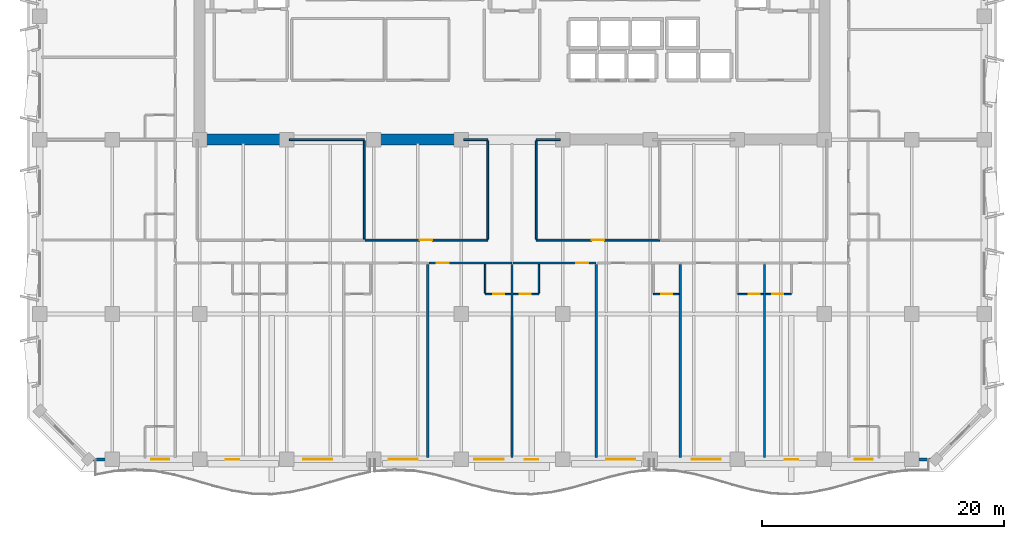
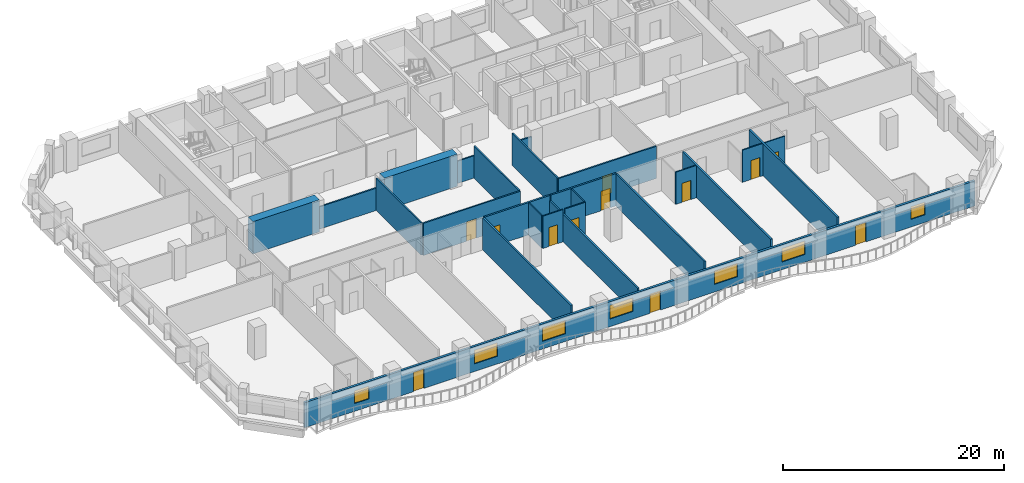
# One storey, part 5 of 14: 25 walls, 12 doors, 7 windows, 19 openings.
"""IFC4 building model written with IfcOpenShell, lengths in metres."""

import ifcopenshell
import ifcopenshell.guid

model = None  # the IFC model being written
_history = None  # IfcOwnerHistory: only IFC2X3 demands one
_inside = {}  # id of a spatial element -> (the spatial element, [elements in it])
_under = {}  # id of a project, library or spatial element -> (it, [spatial elements below it])
_declared = {}  # id of a project -> (the project, [libraries it declares])
_typed = {}  # id of a type object -> (the type object, [elements of that type])
_made_of = {}  # id of a material, layer set ... -> (it, [elements and type objects made of it])


def new_model(schema):
    """Start an empty IFC model of exactly this schema.

    Asked for "IFC4X3", IfcOpenShell would pick the latest addendum, in which some entities
    have other attributes; the version numbers below select the first issue.
    IFC2X3 requires an IfcOwnerHistory on every rooted entity: one is made here for all.
    """
    global model, _history
    if schema == "IFC4X3":
        model = ifcopenshell.file(schema_version=(4, 3, 0, 0))
    else:
        model = ifcopenshell.file(schema=schema)
    _inside.clear()
    _under.clear()
    _declared.clear()
    _typed.clear()
    _made_of.clear()
    _history = None
    if model.schema == "IFC2X3":
        org = make("IfcOrganization", Name="unknown")
        user = make(
            "IfcPersonAndOrganization",
            ThePerson=make("IfcPerson", FamilyName="unknown"),
            TheOrganization=org,
        )
        app = make(
            "IfcApplication",
            ApplicationDeveloper=org,
            Version="unknown",
            ApplicationFullName="unknown",
            ApplicationIdentifier="unknown",
        )
        _history = make(
            "IfcOwnerHistory",
            OwningUser=user,
            OwningApplication=app,
            ChangeAction="ADDED",
            CreationDate=0,
        )
    return model


def make(cls, **values):
    """One entity of the class cls with the attributes given. An attribute that is None is left unset."""
    return model.create_entity(
        cls, **{name: value for name, value in values.items() if value is not None}
    )


def rooted(cls, **values):
    """An entity with a GlobalId (a new one), such as an element, a storey or a relation."""
    return make(cls, GlobalId=ifcopenshell.guid.new(), OwnerHistory=_history, **values)


def si_unit(unit_type, name, prefix=None):
    """IfcSIUnit, for example si_unit("LENGTHUNIT", "METRE", prefix="MILLI")."""
    return make("IfcSIUnit", UnitType=unit_type, Prefix=prefix, Name=name)


def assignment(units):
    """IfcUnitAssignment: the units of a project."""
    return None if units is None else make("IfcUnitAssignment", Units=units)


def point(xyz):
    """IfcCartesianPoint."""
    return None if xyz is None else make("IfcCartesianPoint", Coordinates=xyz)


def direction(xyz):
    """IfcDirection."""
    return None if xyz is None else make("IfcDirection", DirectionRatios=xyz)


def frame(location, z_axis=None, x_axis=None):
    """IfcAxis2Placement3D, a coordinate frame: its origin and axes. An axis left out is left unset."""
    return make(
        "IfcAxis2Placement3D",
        Location=point(location),
        Axis=direction(z_axis),
        RefDirection=direction(x_axis),
    )


def frame_2d(location, x_axis=None):
    """IfcAxis2Placement2D, a coordinate frame in the plane: its origin and x axis."""
    return make(
        "IfcAxis2Placement2D", Location=point(location), RefDirection=direction(x_axis)
    )


def origin():
    """The frame at (0, 0, 0) with its axes left unset."""
    return frame((0.0, 0.0, 0.0))


def place(relative_to, where):
    """IfcLocalPlacement: puts the frame where relative to a parent placement (None: the world)."""
    return make(
        "IfcLocalPlacement", PlacementRelTo=relative_to, RelativePlacement=where
    )


def context(
    kind, dimensions, precision=None, world=None, true_north=None, identifier=None
):
    """IfcGeometricRepresentationContext, for example the 3D "Model" context."""
    return make(
        "IfcGeometricRepresentationContext",
        ContextIdentifier=identifier,
        ContextType=kind,
        CoordinateSpaceDimension=dimensions,
        Precision=precision,
        WorldCoordinateSystem=world,
        TrueNorth=true_north,
    )


def subcontext(parent, identifier, kind, view, scale=None):
    """IfcGeometricRepresentationSubContext, for example "Body" below "Model"."""
    return make(
        "IfcGeometricRepresentationSubContext",
        ContextIdentifier=identifier,
        ContextType=kind,
        ParentContext=parent,
        TargetScale=scale,
        TargetView=view,
    )


def project(units=None, contexts=None):
    """IfcProject with its units and contexts."""
    return rooted(
        "IfcProject",
        Name="project",
        RepresentationContexts=contexts,
        UnitsInContext=assignment(units),
    )


def spatial(cls, under=None, at=None, **own):
    """A site, building, storey or space (cls), placed at a placement, below another one or the project."""
    s = rooted(cls, ObjectPlacement=at, **own)
    if under is not None:
        _under.setdefault(under.id(), (under, []))[1].append(s)
    return s


def profile(cls, at=None, kind="AREA", **sizes):
    """A parametric profile (cls). Its sizes go by their IFC names, for example OverallWidth=200.0."""
    return make(cls, ProfileType=kind, Position=at, **sizes)


def rectangle(**sizes):
    """IfcRectangleProfileDef."""
    return profile("IfcRectangleProfileDef", **sizes)


def extrude(swept, where, along, depth):
    """IfcExtrudedAreaSolid: the profile swept, set in the frame where, extruded along a direction by depth."""
    return make(
        "IfcExtrudedAreaSolid",
        SweptArea=swept,
        Position=where,
        ExtrudedDirection=direction(along),
        Depth=depth,
    )


def shape(context_of_items, identifier, shape_type, items):
    """IfcShapeRepresentation: the items that make up one representation, for example the "Body"."""
    return make(
        "IfcShapeRepresentation",
        ContextOfItems=context_of_items,
        RepresentationIdentifier=identifier,
        RepresentationType=shape_type,
        Items=items,
    )


def material(Name=None, Category=None):
    """IfcMaterial."""
    return make("IfcMaterial", Name=Name, Category=Category)


def layer(
    of_material, thickness, ventilated=None, Name=None, Category=None, Priority=None
):
    """IfcMaterialLayer: one layer of a wall or slab, of a material (None: an air gap)."""
    return make(
        "IfcMaterialLayer",
        Material=of_material,
        LayerThickness=thickness,
        IsVentilated=ventilated,
        Name=Name,
        Category=Category,
        Priority=Priority,
    )


def layer_set(layers, Name=None):
    """IfcMaterialLayerSet."""
    return make("IfcMaterialLayerSet", MaterialLayers=layers, LayerSetName=Name)


def made_of(thing, what):
    """Note that an element or type object is made of a material, layer set ...; save() writes the relation."""
    if what is not None:
        _made_of.setdefault(what.id(), (what, []))[1].append(thing)
    return thing


def type_object(cls, material=None, **own):
    """A type object (cls), such as IfcWallType, which elements share."""
    return made_of(rooted(cls, **own), material)


def element(
    cls,
    number,
    at=None,
    inside=None,
    cuts=None,
    type_object=None,
    material=None,
    context=None,
    identifier="Body",
    shape_type=None,
    held_by="IfcProductDefinitionShape",
    body=None,
    shapes=None,
    **own,
):
    """One element of the class cls, such as IfcWall. Its Tag is "e" and its number.

    at: its placement. inside: the storey or other place that contains it. cuts: it is an
    opening in that element (IfcRelVoidsElement). A single representation is given by context,
    identifier, shape_type and body (its items); several are given by shapes. held_by: the class
    of the entity that holds the representations. save() writes the other relations.
    """
    e = rooted(cls, Tag="e%d" % number, ObjectPlacement=at, **own)
    if body is not None:
        shapes = [shape(context, identifier, shape_type, body)]
    if shapes is not None:
        e.Representation = make(held_by, Representations=shapes)
    if inside is not None:
        _inside.setdefault(inside.id(), (inside, []))[1].append(e)
    if cuts is not None:
        rooted(
            "IfcRelVoidsElement", RelatingBuildingElement=cuts, RelatedOpeningElement=e
        )
    if type_object is not None:
        _typed.setdefault(type_object.id(), (type_object, []))[1].append(e)
    return made_of(e, material)


def fill(opening, filler):
    """IfcRelFillsElement: the door or window that sits in an opening."""
    return rooted(
        "IfcRelFillsElement",
        RelatingOpeningElement=opening,
        RelatedBuildingElement=filler,
    )


def aggregate(whole, parts):
    """IfcRelAggregates: a whole, such as a stair, and the parts it consists of."""
    return rooted("IfcRelAggregates", RelatingObject=whole, RelatedObjects=parts)


def save(model, path):
    """Write the relations noted so far, then the file.

    IfcRelAggregates (storeys below a building ...), IfcRelContainedInSpatialStructure (elements
    in a storey), IfcRelDefinesByType, IfcRelAssociatesMaterial and IfcRelDeclares: one each for
    every whole, place, type object, material and project.
    """
    for whole, parts in _under.values():
        aggregate(whole, parts)
    for where, things in _inside.values():
        rooted(
            "IfcRelContainedInSpatialStructure",
            RelatedElements=things,
            RelatingStructure=where,
        )
    for kind, things in _typed.values():
        rooted("IfcRelDefinesByType", RelatedObjects=things, RelatingType=kind)
    for what, things in _made_of.values():
        rooted("IfcRelAssociatesMaterial", RelatedObjects=things, RelatingMaterial=what)
    for by, libraries in _declared.values():
        rooted("IfcRelDeclares", RelatingContext=by, RelatedDefinitions=libraries)
    model.write(path)


model = new_model("IFC4")

# Units and contexts
model_context = context("Model", 3, precision=1e-05, world=origin(), true_north=direction((0.0, 1.0)))
body_context = subcontext(model_context, "Body", "Model", "MODEL_VIEW")
ifc_project = project(units=[si_unit("LENGTHUNIT", "METRE"), si_unit("AREAUNIT", "SQUARE_METRE"), si_unit("VOLUMEUNIT", "CUBIC_METRE"), si_unit("PLANEANGLEUNIT", "RADIAN"), si_unit("MASSUNIT", "GRAM", prefix="KILO")], contexts=[model_context])

# Site, building, storey
site_placement = place(None, origin())
site = spatial("IfcSite", under=ifc_project, at=site_placement, CompositionType="ELEMENT")
building_placement = place(site_placement, origin())
building = spatial("IfcBuilding", under=site, at=building_placement, Name="Kaelvorn Grand Hotel", CompositionType="ELEMENT")
storey_placement = place(building_placement, frame((0.0, 0.0, 161.949951171875)))
storey = spatial("IfcBuildingStorey", under=building, at=storey_placement, Name="L39", CompositionType="ELEMENT", Elevation=161.949951171875)

# Walls
ifc_material_1 = material(Name="Concrete C60/75", Category="concrete")
ifc_layer_1 = layer(ifc_material_1, 0.89990234375)
ifc_layer_set_1 = layer_set([ifc_layer_1], Name="Concrete C60/75")
wall_type_1 = type_object("IfcWallType", Name="WL-CORE-900-C60", PredefinedType="SHEAR", material=ifc_layer_set_1)
wall_1_placement = place(storey_placement, frame((16.655029296875, 29.39990234375, 0.0), z_axis=(0.0, 0.0, 1.0), x_axis=(1.0, 0.0, 0.0)))
element("IfcWall", 1, at=wall_1_placement, inside=storey, type_object=wall_type_1, Name="L39 Rear-Core Coupled Shear Pier S1", PredefinedType="SHEAR", context=body_context, shape_type="SweptSolid", body=[
    extrude(rectangle(XDim=6.945068359375, YDim=0.89990234375, at=frame_2d((3.47265625, 0.0))), origin(), (0.0, 0.0, 1.0), 3.56005859375),
])
wall_2_placement = place(storey_placement, frame((30.39990234375, 29.39990234375, 0.0), z_axis=(0.0, 0.0, 1.0), x_axis=(1.0, 0.0, 0.0)))
element("IfcWall", 2, at=wall_2_placement, inside=storey, type_object=wall_type_1, Name="L39 Rear-Core Coupled Shear Pier S2", PredefinedType="SHEAR", context=body_context, shape_type="SweptSolid", body=[
    extrude(rectangle(XDim=7.60009765625, YDim=0.89990234375, at=frame_2d((3.800048828125, 0.0))), origin(), (0.0, 0.0, 1.0), 3.56005859375),
])

# Wall, openings, doors, windows
ifc_material_2 = material(Name="Concrete C40/50", Category="concrete")
ifc_layer_2 = layer(ifc_material_2, 0.239990234375)
ifc_layer_set_2 = layer_set([ifc_layer_2], Name="Concrete C40/50")
wall_type_2 = type_object("IfcWallType", Name="WL-EXT-240-C40", PredefinedType="SOLIDWALL", material=ifc_layer_set_2)
wall_3_placement = place(storey_placement, frame((7.0, 3.0, 0.0), z_axis=(0.0, 0.0, 1.0), x_axis=(1.0, 0.0, 0.0)))
wall_3 = element("IfcWall", 3, at=wall_3_placement, inside=storey, type_object=wall_type_2, Name="L39 Exterior Architectural Concrete Wall 01", PredefinedType="SOLIDWALL", context=body_context, shape_type="SweptSolid", body=[
    extrude(rectangle(XDim=70.0, YDim=0.239990234375, at=frame_2d((35.0, 0.0))), origin(), (0.0, 0.0, 1.0), 2.760009765625),
])
opening_1_placement = place(wall_3_placement, frame((11.38330078125, 0.0, 0.0)))
opening_1 = element("IfcOpeningElement", 4, at=opening_1_placement, cuts=wall_3, Name="Opening DE2", PredefinedType="OPENING", context=body_context, shape_type="SweptSolid", body=[
    extrude(rectangle(XDim=1.10009765625, YDim=2.14990234375, at=frame_2d((0.550048828125, 1.074951171875))), frame((0.0, 0.1298828125, 0.0), z_axis=(0.0, -1.0, 0.0), x_axis=(1.0, 0.0, 0.0)), (0.0, 0.0, 1.0), 0.260009765625),
])
opening_2_placement = place(wall_3_placement, frame((36.069091796875, 0.0, 0.0)))
opening_2 = element("IfcOpeningElement", 5, at=opening_2_placement, cuts=wall_3, Name="Opening DE2", PredefinedType="OPENING", context=body_context, shape_type="SweptSolid", body=[
    extrude(rectangle(XDim=1.10009765625, YDim=2.14990234375, at=frame_2d((0.550048828125, 1.074951171875))), frame((0.0, 0.1298828125, 0.0), z_axis=(0.0, -1.0, 0.0), x_axis=(1.0, 0.0, 0.0)), (0.0, 0.0, 1.0), 0.260009765625),
])
opening_3_placement = place(wall_3_placement, frame((57.5166015625, 0.0, 0.0)))
opening_3 = element("IfcOpeningElement", 6, at=opening_3_placement, cuts=wall_3, Name="Opening DE2", PredefinedType="OPENING", context=body_context, shape_type="SweptSolid", body=[
    extrude(rectangle(XDim=1.10009765625, YDim=2.14990234375, at=frame_2d((0.550048828125, 1.074951171875))), frame((0.0, 0.1298828125, 0.0), z_axis=(0.0, -1.0, 0.0), x_axis=(1.0, 0.0, 0.0)), (0.0, 0.0, 1.0), 0.260009765625),
])
opening_4_placement = place(wall_3_placement, frame((5.199951171875, 0.0, 0.85009765625)))
opening_4 = element("IfcOpeningElement", 7, at=opening_4_placement, cuts=wall_3, Name="Opening W10", PredefinedType="OPENING", context=body_context, shape_type="SweptSolid", body=[
    extrude(rectangle(XDim=1.5, YDim=1.39990234375, at=frame_2d((0.75, 0.699951171875))), frame((0.0, 0.1298828125, 0.0), z_axis=(0.0, -1.0, 0.0), x_axis=(1.0, 0.0, 0.0)), (0.0, 0.0, 1.0), 0.260009765625),
])
opening_5_placement = place(wall_3_placement, frame((17.75, 0.0, 0.85009765625)))
opening_5 = element("IfcOpeningElement", 8, at=opening_5_placement, cuts=wall_3, Name="Opening W6", PredefinedType="OPENING", context=body_context, shape_type="SweptSolid", body=[
    extrude(rectangle(XDim=2.39990234375, YDim=1.5, at=frame_2d((1.199951171875, 0.75))), frame((0.0, 0.1298828125, 0.0), z_axis=(0.0, -1.0, 0.0), x_axis=(1.0, 0.0, 0.0)), (0.0, 0.0, 1.0), 0.260009765625),
])
opening_6_placement = place(wall_3_placement, frame((24.824951171875, 0.0, 0.85009765625)))
opening_6 = element("IfcOpeningElement", 9, at=opening_6_placement, cuts=wall_3, Name="Opening W6", PredefinedType="OPENING", context=body_context, shape_type="SweptSolid", body=[
    extrude(rectangle(XDim=2.39990234375, YDim=1.5, at=frame_2d((1.199951171875, 0.75))), frame((0.0, 0.1298828125, 0.0), z_axis=(0.0, -1.0, 0.0), x_axis=(1.0, 0.0, 0.0)), (0.0, 0.0, 1.0), 0.260009765625),
])
opening_7_placement = place(wall_3_placement, frame((31.89990234375, 0.0, 0.85009765625)))
opening_7 = element("IfcOpeningElement", 10, at=opening_7_placement, cuts=wall_3, Name="Opening W6", PredefinedType="OPENING", context=body_context, shape_type="SweptSolid", body=[
    extrude(rectangle(XDim=2.39990234375, YDim=1.5, at=frame_2d((1.199951171875, 0.75))), frame((0.0, 0.1298828125, 0.0), z_axis=(0.0, -1.0, 0.0), x_axis=(1.0, 0.0, 0.0)), (0.0, 0.0, 1.0), 0.260009765625),
])
opening_8_placement = place(wall_3_placement, frame((42.77490234375, 0.0, 0.85009765625)))
opening_8 = element("IfcOpeningElement", 11, at=opening_8_placement, cuts=wall_3, Name="Opening W6", PredefinedType="OPENING", context=body_context, shape_type="SweptSolid", body=[
    extrude(rectangle(XDim=2.39990234375, YDim=1.5, at=frame_2d((1.199951171875, 0.75))), frame((0.0, 0.1298828125, 0.0), z_axis=(0.0, -1.0, 0.0), x_axis=(1.0, 0.0, 0.0)), (0.0, 0.0, 1.0), 0.260009765625),
])
opening_9_placement = place(wall_3_placement, frame((49.85009765625, 0.0, 0.85009765625)))
opening_9 = element("IfcOpeningElement", 12, at=opening_9_placement, cuts=wall_3, Name="Opening W6", PredefinedType="OPENING", context=body_context, shape_type="SweptSolid", body=[
    extrude(rectangle(XDim=2.39990234375, YDim=1.5, at=frame_2d((1.199951171875, 0.75))), frame((0.0, 0.1298828125, 0.0), z_axis=(0.0, -1.0, 0.0), x_axis=(1.0, 0.0, 0.0)), (0.0, 0.0, 1.0), 0.260009765625),
])
opening_10_placement = place(wall_3_placement, frame((63.300048828125, 0.0, 0.85009765625)))
opening_10 = element("IfcOpeningElement", 13, at=opening_10_placement, cuts=wall_3, Name="Opening W10", PredefinedType="OPENING", context=body_context, shape_type="SweptSolid", body=[
    extrude(rectangle(XDim=1.5, YDim=1.39990234375, at=frame_2d((0.75, 0.699951171875))), frame((0.0, 0.1298828125, 0.0), z_axis=(0.0, -1.0, 0.0), x_axis=(1.0, 0.0, 0.0)), (0.0, 0.0, 1.0), 0.260009765625),
])
ifc_material_3 = material(Name="Anodised Aluminium", Category="aluminium")
door_type_1 = type_object("IfcDoorType", Name="DR-EXT-BALC-1100x2150", OperationType="NOTDEFINED", PredefinedType="DOOR", material=ifc_material_3)
door_1_placement = place(opening_1_placement, origin())
door_1 = element("IfcDoor", 14, at=door_1_placement, inside=storey, type_object=door_type_1, Name="L39 Scalloped Balcony Glazed Door DE2-1", OperationType="SINGLE_SWING_LEFT", OverallHeight=2.14990234375, OverallWidth=1.10009765625, PredefinedType="DOOR", context=body_context, shape_type="SweptSolid", body=[
    extrude(rectangle(XDim=1.10009765625, YDim=2.14990234375, at=frame_2d((0.550048828125, 1.074951171875))), frame((0.0, 0.02490234375, 0.0), z_axis=(0.0, -1.0, 0.0), x_axis=(1.0, 0.0, 0.0)), (0.0, 0.0, 1.0), 0.050048828125),
])
fill(opening_1, door_1)
door_2_placement = place(opening_2_placement, origin())
door_2 = element("IfcDoor", 15, at=door_2_placement, inside=storey, type_object=door_type_1, Name="L39 Scalloped Balcony Glazed Door DE2-2", OperationType="SINGLE_SWING_RIGHT", OverallHeight=2.14990234375, OverallWidth=1.10009765625, PredefinedType="DOOR", context=body_context, shape_type="SweptSolid", body=[
    extrude(rectangle(XDim=1.10009765625, YDim=2.14990234375, at=frame_2d((0.550048828125, 1.074951171875))), frame((0.0, 0.02490234375, 0.0), z_axis=(0.0, -1.0, 0.0), x_axis=(1.0, 0.0, 0.0)), (0.0, 0.0, 1.0), 0.050048828125),
])
fill(opening_2, door_2)
door_3_placement = place(opening_3_placement, origin())
door_3 = element("IfcDoor", 16, at=door_3_placement, inside=storey, type_object=door_type_1, Name="L39 Scalloped Balcony Glazed Door DE2-3", OperationType="SINGLE_SWING_LEFT", OverallHeight=2.14990234375, OverallWidth=1.10009765625, PredefinedType="DOOR", context=body_context, shape_type="SweptSolid", body=[
    extrude(rectangle(XDim=1.10009765625, YDim=2.14990234375, at=frame_2d((0.550048828125, 1.074951171875))), frame((0.0, 0.02490234375, 0.0), z_axis=(0.0, -1.0, 0.0), x_axis=(1.0, 0.0, 0.0)), (0.0, 0.0, 1.0), 0.050048828125),
])
fill(opening_3, door_3)
ifc_material_4 = material(Name="Laminated Low-E Glass", Category="glass")
window_type_1 = type_object("IfcWindowType", Name="WIN-COR-1500x1400", PartitioningType="SINGLE_PANEL", PredefinedType="WINDOW", material=ifc_material_4)
window_1_placement = place(opening_4_placement, origin())
window_1 = element("IfcWindow", 17, at=window_1_placement, inside=storey, type_object=window_type_1, Name="L39 South Guestroom Ribbon Window SR01", OverallHeight=1.39990234375, OverallWidth=1.5, PartitioningType="SINGLE_PANEL", PredefinedType="WINDOW", context=body_context, shape_type="SweptSolid", body=[
    extrude(rectangle(XDim=1.5, YDim=1.39990234375, at=frame_2d((0.75, 0.699951171875))), frame((0.0, 0.030029296875, 0.0), z_axis=(0.0, -1.0, 0.0), x_axis=(1.0, 0.0, 0.0)), (0.0, 0.0, 1.0), 0.06005859375),
])
fill(opening_4, window_1)
window_2_placement = place(opening_10_placement, origin())
window_2 = element("IfcWindow", 18, at=window_2_placement, inside=storey, type_object=window_type_1, Name="L39 South Guestroom Ribbon Window SR07", OverallHeight=1.39990234375, OverallWidth=1.5, PartitioningType="SINGLE_PANEL", PredefinedType="WINDOW", context=body_context, shape_type="SweptSolid", body=[
    extrude(rectangle(XDim=1.5, YDim=1.39990234375, at=frame_2d((0.75, 0.699951171875))), frame((0.0, 0.030029296875, 0.0), z_axis=(0.0, -1.0, 0.0), x_axis=(1.0, 0.0, 0.0)), (0.0, 0.0, 1.0), 0.06005859375),
])
fill(opening_10, window_2)
window_type_2 = type_object("IfcWindowType", Name="WIN-NTH-2400x1500", PartitioningType="SINGLE_PANEL", PredefinedType="WINDOW", material=ifc_material_4)
window_3_placement = place(opening_5_placement, origin())
window_3 = element("IfcWindow", 19, at=window_3_placement, inside=storey, type_object=window_type_2, Name="L39 South Guestroom Ribbon Window SR02", OverallHeight=1.5, OverallWidth=2.39990234375, PartitioningType="SINGLE_PANEL", PredefinedType="WINDOW", context=body_context, shape_type="SweptSolid", body=[
    extrude(rectangle(XDim=2.39990234375, YDim=1.5, at=frame_2d((1.199951171875, 0.75))), frame((0.0, 0.030029296875, 0.0), z_axis=(0.0, -1.0, 0.0), x_axis=(1.0, 0.0, 0.0)), (0.0, 0.0, 1.0), 0.06005859375),
])
fill(opening_5, window_3)
window_4_placement = place(opening_6_placement, origin())
window_4 = element("IfcWindow", 20, at=window_4_placement, inside=storey, type_object=window_type_2, Name="L39 South Guestroom Ribbon Window SR03", OverallHeight=1.5, OverallWidth=2.39990234375, PartitioningType="SINGLE_PANEL", PredefinedType="WINDOW", context=body_context, shape_type="SweptSolid", body=[
    extrude(rectangle(XDim=2.39990234375, YDim=1.5, at=frame_2d((1.199951171875, 0.75))), frame((0.0, 0.030029296875, 0.0), z_axis=(0.0, -1.0, 0.0), x_axis=(1.0, 0.0, 0.0)), (0.0, 0.0, 1.0), 0.06005859375),
])
fill(opening_6, window_4)
window_5_placement = place(opening_7_placement, origin())
window_5 = element("IfcWindow", 21, at=window_5_placement, inside=storey, type_object=window_type_2, Name="L39 South Guestroom Ribbon Window SR04", OverallHeight=1.5, OverallWidth=2.39990234375, PartitioningType="SINGLE_PANEL", PredefinedType="WINDOW", context=body_context, shape_type="SweptSolid", body=[
    extrude(rectangle(XDim=2.39990234375, YDim=1.5, at=frame_2d((1.199951171875, 0.75))), frame((0.0, 0.030029296875, 0.0), z_axis=(0.0, -1.0, 0.0), x_axis=(1.0, 0.0, 0.0)), (0.0, 0.0, 1.0), 0.06005859375),
])
fill(opening_7, window_5)
window_6_placement = place(opening_8_placement, origin())
window_6 = element("IfcWindow", 22, at=window_6_placement, inside=storey, type_object=window_type_2, Name="L39 South Guestroom Ribbon Window SR05", OverallHeight=1.5, OverallWidth=2.39990234375, PartitioningType="SINGLE_PANEL", PredefinedType="WINDOW", context=body_context, shape_type="SweptSolid", body=[
    extrude(rectangle(XDim=2.39990234375, YDim=1.5, at=frame_2d((1.199951171875, 0.75))), frame((0.0, 0.030029296875, 0.0), z_axis=(0.0, -1.0, 0.0), x_axis=(1.0, 0.0, 0.0)), (0.0, 0.0, 1.0), 0.06005859375),
])
fill(opening_8, window_6)
window_7_placement = place(opening_9_placement, origin())
window_7 = element("IfcWindow", 23, at=window_7_placement, inside=storey, type_object=window_type_2, Name="L39 South Guestroom Ribbon Window SR06", OverallHeight=1.5, OverallWidth=2.39990234375, PartitioningType="SINGLE_PANEL", PredefinedType="WINDOW", context=body_context, shape_type="SweptSolid", body=[
    extrude(rectangle(XDim=2.39990234375, YDim=1.5, at=frame_2d((1.199951171875, 0.75))), frame((0.0, 0.030029296875, 0.0), z_axis=(0.0, -1.0, 0.0), x_axis=(1.0, 0.0, 0.0)), (0.0, 0.0, 1.0), 0.06005859375),
])
fill(opening_9, window_7)

# Wall, opening, door
ifc_material_5 = material(Name="Moisture-Resistant Tile & Stud Board")
ifc_layer_3 = layer(ifc_material_5, 0.125)
ifc_layer_set_3 = layer_set([ifc_layer_3], Name="Moisture-Resistant Tile & Stud Board")
wall_type_3 = type_object("IfcWallType", Name="WL-PART-125-WET", PredefinedType="PARTITIONING", material=ifc_layer_set_3)
wall_4_placement = place(storey_placement, frame((39.780029296875, 16.64990234375, 0.0), z_axis=(0.0, 0.0, 1.0), x_axis=(1.0, 0.0, 0.0)))
wall_4 = element("IfcWall", 24, at=wall_4_placement, inside=storey, type_object=wall_type_3, Name="L39 En-suite Bathroom L39-04 S Partition", PredefinedType="PARTITIONING", context=body_context, shape_type="SweptSolid", body=[
    extrude(rectangle(XDim=2.125, YDim=0.125, at=frame_2d((1.0625, 0.0))), origin(), (0.0, 0.0, 1.0), 3.56005859375),
])
opening_11_placement = place(wall_4_placement, frame((0.659912109375, 0.0, 0.0)))
opening_11 = element("IfcOpeningElement", 25, at=opening_11_placement, cuts=wall_4, Name="Opening DI4", PredefinedType="OPENING", context=body_context, shape_type="SweptSolid", body=[
    extrude(rectangle(XDim=0.89990234375, YDim=2.10009765625, at=frame_2d((0.449951171875, 1.050048828125))), frame((0.0, 0.072509765625, 0.0), z_axis=(0.0, -1.0, 0.0), x_axis=(1.0, 0.0, 0.0)), (0.0, 0.0, 1.0), 0.14501953125),
])
ifc_material_6 = material(Name="Timber Veneer Leaf", Category="wood")
door_type_2 = type_object("IfcDoorType", Name="DR-INT-BATH-900x2100", OperationType="NOTDEFINED", PredefinedType="DOOR", material=ifc_material_6)
door_4_placement = place(opening_11_placement, origin())
door_4 = element("IfcDoor", 26, at=door_4_placement, inside=storey, type_object=door_type_2, Name="L39 En-suite Bathroom L39-04 Door", OperationType="SINGLE_SWING_RIGHT", OverallHeight=2.10009765625, OverallWidth=0.89990234375, PredefinedType="DOOR", context=body_context, shape_type="SweptSolid", body=[
    extrude(rectangle(XDim=0.89990234375, YDim=2.10009765625, at=frame_2d((0.449951171875, 1.050048828125))), frame((0.0, 0.02490234375, 0.0), z_axis=(0.0, -1.0, 0.0), x_axis=(1.0, 0.0, 0.0)), (0.0, 0.0, 1.0), 0.050048828125),
])
fill(opening_11, door_4)

# Wall
wall_5_placement = place(storey_placement, frame((39.780029296875, 16.717529296875, 0.0), z_axis=(0.0, 0.0, 1.0), x_axis=(0.0, 1.0, 0.0)))
element("IfcWall", 27, at=wall_5_placement, inside=storey, type_object=wall_type_3, Name="L39 En-suite Bathroom L39-04 W Partition", PredefinedType="PARTITIONING", context=body_context, shape_type="SweptSolid", body=[
    extrude(rectangle(XDim=2.387451171875, YDim=0.125, at=frame_2d((1.19384765625, 0.0))), origin(), (0.0, 0.0, 1.0), 3.56005859375),
])

# Wall, opening, door
wall_6_placement = place(storey_placement, frame((42.094970703125, 16.64990234375, 0.0), z_axis=(0.0, 0.0, 1.0), x_axis=(1.0, 0.0, 0.0)))
wall_6 = element("IfcWall", 28, at=wall_6_placement, inside=storey, type_object=wall_type_3, Name="L39 En-suite Bathroom L39-05 S Partition", PredefinedType="PARTITIONING", context=body_context, shape_type="SweptSolid", body=[
    extrude(rectangle(XDim=2.125, YDim=0.125, at=frame_2d((1.0625, 0.0))), origin(), (0.0, 0.0, 1.0), 3.56005859375),
])
opening_12_placement = place(wall_6_placement, frame((0.56494140625, 0.0, 0.0)))
opening_12 = element("IfcOpeningElement", 29, at=opening_12_placement, cuts=wall_6, Name="Opening DI4", PredefinedType="OPENING", context=body_context, shape_type="SweptSolid", body=[
    extrude(rectangle(XDim=0.89990234375, YDim=2.10009765625, at=frame_2d((0.449951171875, 1.050048828125))), frame((0.0, 0.072509765625, 0.0), z_axis=(0.0, -1.0, 0.0), x_axis=(1.0, 0.0, 0.0)), (0.0, 0.0, 1.0), 0.14501953125),
])
door_5_placement = place(opening_12_placement, origin())
door_5 = element("IfcDoor", 30, at=door_5_placement, inside=storey, type_object=door_type_2, Name="L39 En-suite Bathroom L39-05 Door", OperationType="SINGLE_SWING_RIGHT", OverallHeight=2.10009765625, OverallWidth=0.89990234375, PredefinedType="DOOR", context=body_context, shape_type="SweptSolid", body=[
    extrude(rectangle(XDim=0.89990234375, YDim=2.10009765625, at=frame_2d((0.449951171875, 1.050048828125))), frame((0.0, 0.02490234375, 0.0), z_axis=(0.0, -1.0, 0.0), x_axis=(1.0, 0.0, 0.0)), (0.0, 0.0, 1.0), 0.050048828125),
])
fill(opening_12, door_5)

# Wall
wall_7_placement = place(storey_placement, frame((44.219970703125, 16.717529296875, 0.0), z_axis=(0.0, 0.0, 1.0), x_axis=(0.0, 1.0, 0.0)))
element("IfcWall", 31, at=wall_7_placement, inside=storey, type_object=wall_type_3, Name="L39 En-suite Bathroom L39-05 E Partition", PredefinedType="PARTITIONING", context=body_context, shape_type="SweptSolid", body=[
    extrude(rectangle(XDim=2.387451171875, YDim=0.125, at=frame_2d((1.19384765625, 0.0))), origin(), (0.0, 0.0, 1.0), 3.56005859375),
])

# Wall, opening, door
wall_8_placement = place(storey_placement, frame((53.679931640625, 16.64990234375, 0.0), z_axis=(0.0, 0.0, 1.0), x_axis=(1.0, 0.0, 0.0)))
wall_8 = element("IfcWall", 32, at=wall_8_placement, inside=storey, type_object=wall_type_3, Name="L39 En-suite Bathroom L39-06 S Partition", PredefinedType="PARTITIONING", context=body_context, shape_type="SweptSolid", body=[
    extrude(rectangle(XDim=2.125, YDim=0.125, at=frame_2d((1.0625, 0.0))), origin(), (0.0, 0.0, 1.0), 3.56005859375),
])
opening_13_placement = place(wall_8_placement, frame((0.659912109375, 0.0, 0.0)))
opening_13 = element("IfcOpeningElement", 33, at=opening_13_placement, cuts=wall_8, Name="Opening DI4", PredefinedType="OPENING", context=body_context, shape_type="SweptSolid", body=[
    extrude(rectangle(XDim=0.89990234375, YDim=2.10009765625, at=frame_2d((0.449951171875, 1.050048828125))), frame((0.0, 0.072509765625, 0.0), z_axis=(0.0, -1.0, 0.0), x_axis=(1.0, 0.0, 0.0)), (0.0, 0.0, 1.0), 0.14501953125),
])
door_6_placement = place(opening_13_placement, origin())
door_6 = element("IfcDoor", 34, at=door_6_placement, inside=storey, type_object=door_type_2, Name="L39 En-suite Bathroom L39-06 Door", OperationType="SINGLE_SWING_RIGHT", OverallHeight=2.10009765625, OverallWidth=0.89990234375, PredefinedType="DOOR", context=body_context, shape_type="SweptSolid", body=[
    extrude(rectangle(XDim=0.89990234375, YDim=2.10009765625, at=frame_2d((0.449951171875, 1.050048828125))), frame((0.0, 0.02490234375, 0.0), z_axis=(0.0, -1.0, 0.0), x_axis=(1.0, 0.0, 0.0)), (0.0, 0.0, 1.0), 0.050048828125),
])
fill(opening_13, door_6)

wall_9_placement = place(storey_placement, frame((60.6298828125, 16.64990234375, 0.0), z_axis=(0.0, 0.0, 1.0), x_axis=(1.0, 0.0, 0.0)))
wall_9 = element("IfcWall", 35, at=wall_9_placement, inside=storey, type_object=wall_type_3, Name="L39 En-suite Bathroom L39-07 S Partition", PredefinedType="PARTITIONING", context=body_context, shape_type="SweptSolid", body=[
    extrude(rectangle(XDim=2.125, YDim=0.125, at=frame_2d((1.0625, 0.0))), origin(), (0.0, 0.0, 1.0), 3.56005859375),
])
opening_14_placement = place(wall_9_placement, frame((0.909912109375, 0.0, 0.0)))
opening_14 = element("IfcOpeningElement", 36, at=opening_14_placement, cuts=wall_9, Name="Opening DI4", PredefinedType="OPENING", context=body_context, shape_type="SweptSolid", body=[
    extrude(rectangle(XDim=0.89990234375, YDim=2.10009765625, at=frame_2d((0.449951171875, 1.050048828125))), frame((0.0, 0.072509765625, 0.0), z_axis=(0.0, -1.0, 0.0), x_axis=(1.0, 0.0, 0.0)), (0.0, 0.0, 1.0), 0.14501953125),
])
door_7_placement = place(opening_14_placement, origin())
door_7 = element("IfcDoor", 37, at=door_7_placement, inside=storey, type_object=door_type_2, Name="L39 En-suite Bathroom L39-07 Door", OperationType="SINGLE_SWING_RIGHT", OverallHeight=2.10009765625, OverallWidth=0.89990234375, PredefinedType="DOOR", context=body_context, shape_type="SweptSolid", body=[
    extrude(rectangle(XDim=0.89990234375, YDim=2.10009765625, at=frame_2d((0.449951171875, 1.050048828125))), frame((0.0, 0.02490234375, 0.0), z_axis=(0.0, -1.0, 0.0), x_axis=(1.0, 0.0, 0.0)), (0.0, 0.0, 1.0), 0.050048828125),
])
fill(opening_14, door_7)

wall_10_placement = place(storey_placement, frame((62.945068359375, 16.64990234375, 0.0), z_axis=(0.0, 0.0, 1.0), x_axis=(1.0, 0.0, 0.0)))
wall_10 = element("IfcWall", 38, at=wall_10_placement, inside=storey, type_object=wall_type_3, Name="L39 En-suite Bathroom L39-08 S Partition", PredefinedType="PARTITIONING", context=body_context, shape_type="SweptSolid", body=[
    extrude(rectangle(XDim=2.125, YDim=0.125, at=frame_2d((1.0625, 0.0))), origin(), (0.0, 0.0, 1.0), 3.56005859375),
])
opening_15_placement = place(wall_10_placement, frame((0.56494140625, 0.0, 0.0)))
opening_15 = element("IfcOpeningElement", 39, at=opening_15_placement, cuts=wall_10, Name="Opening DI4", PredefinedType="OPENING", context=body_context, shape_type="SweptSolid", body=[
    extrude(rectangle(XDim=0.89990234375, YDim=2.10009765625, at=frame_2d((0.449951171875, 1.050048828125))), frame((0.0, 0.072509765625, 0.0), z_axis=(0.0, -1.0, 0.0), x_axis=(1.0, 0.0, 0.0)), (0.0, 0.0, 1.0), 0.14501953125),
])
door_8_placement = place(opening_15_placement, origin())
door_8 = element("IfcDoor", 40, at=door_8_placement, inside=storey, type_object=door_type_2, Name="L39 En-suite Bathroom L39-08 Door", OperationType="SINGLE_SWING_RIGHT", OverallHeight=2.10009765625, OverallWidth=0.89990234375, PredefinedType="DOOR", context=body_context, shape_type="SweptSolid", body=[
    extrude(rectangle(XDim=0.89990234375, YDim=2.10009765625, at=frame_2d((0.449951171875, 1.050048828125))), frame((0.0, 0.02490234375, 0.0), z_axis=(0.0, -1.0, 0.0), x_axis=(1.0, 0.0, 0.0)), (0.0, 0.0, 1.0), 0.050048828125),
])
fill(opening_15, door_8)

# Walls
ifc_material_7 = material(Name="Acoustic Gypsum & Stud Partition")
ifc_layer_4 = layer(ifc_material_7, 0.14990234375)
ifc_layer_set_4 = layer_set([ifc_layer_4], Name="Acoustic Gypsum & Stud Partition")
wall_type_4 = type_object("IfcWallType", Name="WL-PART-150-EI60", PredefinedType="PARTITIONING", material=ifc_layer_set_4)
wall_11_placement = place(storey_placement, frame((23.610107421875, 29.39990234375, 0.0), z_axis=(0.0, 0.0, 1.0), x_axis=(1.0, 0.0, 0.0)))
element("IfcWall", 41, at=wall_11_placement, inside=storey, type_object=wall_type_4, Name="L39 Wellness Spa Salon N Partition", PredefinedType="PARTITIONING", context=body_context, shape_type="SweptSolid", body=[
    extrude(rectangle(XDim=6.18994140625, YDim=0.14990234375, at=frame_2d((3.094970703125, 0.0))), origin(), (0.0, 0.0, 1.0), 2.4599609375),
])
wall_12_placement = place(storey_placement, frame((29.800048828125, 21.179931640625, 0.0), z_axis=(0.0, 0.0, 1.0), x_axis=(0.0, 1.0, 0.0)))
element("IfcWall", 42, at=wall_12_placement, inside=storey, type_object=wall_type_4, Name="L39 Wellness Spa Salon E Partition", PredefinedType="PARTITIONING", context=body_context, shape_type="SweptSolid", body=[
    extrude(rectangle(XDim=8.14013671875, YDim=0.14990234375, at=frame_2d((4.070068359375, 0.0))), origin(), (0.0, 0.0, 1.0), 3.56005859375),
])

# Wall, opening, door
wall_13_placement = place(storey_placement, frame((29.8798828125, 21.10009765625, 0.0), z_axis=(0.0, 0.0, 1.0), x_axis=(1.0, 0.0, 0.0)))
wall_13 = element("IfcWall", 43, at=wall_13_placement, inside=storey, type_object=wall_type_4, Name="L39 Guest Pantry Kitchen S Partition", PredefinedType="PARTITIONING", context=body_context, shape_type="SweptSolid", body=[
    extrude(rectangle(XDim=10.1201171875, YDim=0.14990234375, at=frame_2d((5.06005859375, 0.0))), origin(), (0.0, 0.0, 1.0), 3.56005859375),
])
opening_16_placement = place(wall_13_placement, frame((4.52001953125, 0.0, 0.0)))
opening_16 = element("IfcOpeningElement", 44, at=opening_16_placement, cuts=wall_13, Name="Opening DI3", PredefinedType="OPENING", context=body_context, shape_type="SweptSolid", body=[
    extrude(rectangle(XDim=1.0, YDim=2.14990234375, at=frame_2d((0.5, 1.074951171875))), frame((0.0, 0.0849609375, 0.0), z_axis=(0.0, -1.0, 0.0), x_axis=(1.0, 0.0, 0.0)), (0.0, 0.0, 1.0), 0.169921875),
])
ifc_material_8 = material(Name="Timber Veneer Fire Leaf", Category="wood")
door_type_3 = type_object("IfcDoorType", Name="DR-INT-GUEST-1000x2150", OperationType="NOTDEFINED", PredefinedType="DOOR", material=ifc_material_8)
door_9_placement = place(opening_16_placement, origin())
door_9 = element("IfcDoor", 45, at=door_9_placement, inside=storey, type_object=door_type_3, Name="L39 Guest Pantry Kitchen Door", OperationType="SINGLE_SWING_RIGHT", OverallHeight=2.14990234375, OverallWidth=1.0, PredefinedType="DOOR", context=body_context, shape_type="SweptSolid", body=[
    extrude(rectangle(XDim=1.0, YDim=2.14990234375, at=frame_2d((0.5, 1.074951171875))), frame((0.0, 0.02490234375, 0.0), z_axis=(0.0, -1.0, 0.0), x_axis=(1.0, 0.0, 0.0)), (0.0, 0.0, 1.0), 0.050048828125),
])
fill(opening_16, door_9)

# Walls
wall_14_placement = place(storey_placement, frame((38.010009765625, 29.39990234375, 0.0), z_axis=(0.0, 0.0, 1.0), x_axis=(1.0, 0.0, 0.0)))
element("IfcWall", 46, at=wall_14_placement, inside=storey, type_object=wall_type_4, Name="L39 Guest Pantry Kitchen N Partition (2)", PredefinedType="PARTITIONING", context=body_context, shape_type="SweptSolid", body=[
    extrude(rectangle(XDim=1.989990234375, YDim=0.14990234375, at=frame_2d((0.9951171875, 0.0))), origin(), (0.0, 0.0, 1.0), 2.4599609375),
])
wall_15_placement = place(storey_placement, frame((40.0, 21.179931640625, 0.0), z_axis=(0.0, 0.0, 1.0), x_axis=(0.0, 1.0, 0.0)))
element("IfcWall", 47, at=wall_15_placement, inside=storey, type_object=wall_type_4, Name="L39 Guest Pantry Kitchen E Partition", PredefinedType="PARTITIONING", context=body_context, shape_type="SweptSolid", body=[
    extrude(rectangle(XDim=8.14013671875, YDim=0.14990234375, at=frame_2d((4.070068359375, 0.0))), origin(), (0.0, 0.0, 1.0), 3.56005859375),
])

# Wall, opening, door
wall_16_placement = place(storey_placement, frame((44.0, 21.10009765625, 0.0), z_axis=(0.0, 0.0, 1.0), x_axis=(1.0, 0.0, 0.0)))
wall_16 = element("IfcWall", 48, at=wall_16_placement, inside=storey, type_object=wall_type_4, Name="L39 Diplomatic Living Room S Partition", PredefinedType="PARTITIONING", context=body_context, shape_type="SweptSolid", body=[
    extrude(rectangle(XDim=10.199951171875, YDim=0.14990234375, at=frame_2d((5.10009765625, 0.0))), origin(), (0.0, 0.0, 1.0), 3.56005859375),
])
opening_17_placement = place(wall_16_placement, frame((4.60009765625, 0.0, 0.0)))
opening_17 = element("IfcOpeningElement", 49, at=opening_17_placement, cuts=wall_16, Name="Opening DI3", PredefinedType="OPENING", context=body_context, shape_type="SweptSolid", body=[
    extrude(rectangle(XDim=1.0, YDim=2.14990234375, at=frame_2d((0.5, 1.074951171875))), frame((0.0, 0.0849609375, 0.0), z_axis=(0.0, -1.0, 0.0), x_axis=(1.0, 0.0, 0.0)), (0.0, 0.0, 1.0), 0.169921875),
])
door_10_placement = place(opening_17_placement, origin())
door_10 = element("IfcDoor", 50, at=door_10_placement, inside=storey, type_object=door_type_3, Name="L39 Diplomatic Living Room Door", OperationType="SINGLE_SWING_LEFT", OverallHeight=2.14990234375, OverallWidth=1.0, PredefinedType="DOOR", context=body_context, shape_type="SweptSolid", body=[
    extrude(rectangle(XDim=1.0, YDim=2.14990234375, at=frame_2d((0.5, 1.074951171875))), frame((0.0, 0.02490234375, 0.0), z_axis=(0.0, -1.0, 0.0), x_axis=(1.0, 0.0, 0.0)), (0.0, 0.0, 1.0), 0.050048828125),
])
fill(opening_17, door_10)

# Walls
wall_17_placement = place(storey_placement, frame((44.0, 29.39990234375, 0.0), z_axis=(0.0, 0.0, 1.0), x_axis=(1.0, 0.0, 0.0)))
element("IfcWall", 51, at=wall_17_placement, inside=storey, type_object=wall_type_4, Name="L39 Diplomatic Living Room N Partition (1)", PredefinedType="PARTITIONING", context=body_context, shape_type="SweptSolid", body=[
    extrude(rectangle(XDim=1.989990234375, YDim=0.14990234375, at=frame_2d((0.9951171875, 0.0))), origin(), (0.0, 0.0, 1.0), 2.4599609375),
])
wall_18_placement = place(storey_placement, frame((44.0, 21.179931640625, 0.0), z_axis=(0.0, 0.0, 1.0), x_axis=(0.0, 1.0, 0.0)))
element("IfcWall", 52, at=wall_18_placement, inside=storey, type_object=wall_type_4, Name="L39 Diplomatic Living Room W Partition", PredefinedType="PARTITIONING", context=body_context, shape_type="SweptSolid", body=[
    extrude(rectangle(XDim=8.14013671875, YDim=0.14990234375, at=frame_2d((4.070068359375, 0.0))), origin(), (0.0, 0.0, 1.0), 3.56005859375),
])
ifc_layer_5 = layer(ifc_material_7, 0.179931640625)
ifc_layer_set_5 = layer_set([ifc_layer_5], Name="Acoustic Gypsum & Stud Partition")
wall_type_5 = type_object("IfcWallType", Name="WL-PART-180-EI60", PredefinedType="PARTITIONING", material=ifc_layer_set_5)
wall_19_placement = place(storey_placement, frame((35.050048828125, 3.14990234375, 0.0), z_axis=(0.0, 0.0, 1.0), x_axis=(0.0, 1.0, 0.0)))
element("IfcWall", 53, at=wall_19_placement, inside=storey, type_object=wall_type_5, Name="L39 Mid-Rise Signature Suite L39-03 E Partition", PredefinedType="PARTITIONING", context=body_context, shape_type="SweptSolid", body=[
    extrude(rectangle(XDim=15.955078125, YDim=0.179931640625, at=frame_2d((7.9775390625, 0.0))), origin(), (0.0, 0.0, 1.0), 3.56005859375),
])

# Wall, opening, door
wall_20_placement = place(storey_placement, frame((35.14501953125, 19.199951171875, 0.0), z_axis=(0.0, 0.0, 1.0), x_axis=(1.0, 0.0, 0.0)))
wall_20 = element("IfcWall", 54, at=wall_20_placement, inside=storey, type_object=wall_type_5, Name="L39 Mid-Rise Signature Suite L39-04 N Partition", PredefinedType="PARTITIONING", context=body_context, shape_type="SweptSolid", body=[
    extrude(rectangle(XDim=6.85498046875, YDim=0.179931640625, at=frame_2d((3.427490234375, 0.0))), origin(), (0.0, 0.0, 1.0), 3.56005859375),
])
opening_18_placement = place(wall_20_placement, frame((0.64990234375, 0.0, 0.0)))
opening_18 = element("IfcOpeningElement", 55, at=opening_18_placement, cuts=wall_20, Name="Opening DI3", PredefinedType="OPENING", context=body_context, shape_type="SweptSolid", body=[
    extrude(rectangle(XDim=1.0, YDim=2.14990234375, at=frame_2d((0.5, 1.074951171875))), frame((0.0, 0.10009765625, 0.0), z_axis=(0.0, -1.0, 0.0), x_axis=(1.0, 0.0, 0.0)), (0.0, 0.0, 1.0), 0.199951171875),
])
door_11_placement = place(opening_18_placement, origin())
door_11 = element("IfcDoor", 56, at=door_11_placement, inside=storey, type_object=door_type_3, Name="L39 Mid-Rise Signature Suite L39-04 Door", OperationType="SINGLE_SWING_LEFT", OverallHeight=2.14990234375, OverallWidth=1.0, PredefinedType="DOOR", context=body_context, shape_type="SweptSolid", body=[
    extrude(rectangle(XDim=1.0, YDim=2.14990234375, at=frame_2d((0.5, 1.074951171875))), frame((0.0, 0.02490234375, 0.0), z_axis=(0.0, -1.0, 0.0), x_axis=(1.0, 0.0, 0.0)), (0.0, 0.0, 1.0), 0.050048828125),
])
fill(opening_18, door_11)

# Wall
wall_21_placement = place(storey_placement, frame((42.0, 3.14990234375, 0.0), z_axis=(0.0, 0.0, 1.0), x_axis=(0.0, 1.0, 0.0)))
element("IfcWall", 57, at=wall_21_placement, inside=storey, type_object=wall_type_5, Name="L39 Mid-Rise Signature Suite L39-04 E Partition", PredefinedType="PARTITIONING", context=body_context, shape_type="SweptSolid", body=[
    extrude(rectangle(XDim=15.955078125, YDim=0.179931640625, at=frame_2d((7.9775390625, 0.0))), origin(), (0.0, 0.0, 1.0), 3.010009765625),
])

# Wall, opening, door
wall_22_placement = place(storey_placement, frame((42.094970703125, 19.199951171875, 0.0), z_axis=(0.0, 0.0, 1.0), x_axis=(1.0, 0.0, 0.0)))
wall_22 = element("IfcWall", 58, at=wall_22_placement, inside=storey, type_object=wall_type_5, Name="L39 Mid-Rise Signature Suite L39-05 N Partition", PredefinedType="PARTITIONING", context=body_context, shape_type="SweptSolid", body=[
    extrude(rectangle(XDim=6.85498046875, YDim=0.179931640625, at=frame_2d((3.427490234375, 0.0))), origin(), (0.0, 0.0, 1.0), 3.56005859375),
])
opening_19_placement = place(wall_22_placement, frame((5.205078125, 0.0, 0.0)))
opening_19 = element("IfcOpeningElement", 59, at=opening_19_placement, cuts=wall_22, Name="Opening DI3", PredefinedType="OPENING", context=body_context, shape_type="SweptSolid", body=[
    extrude(rectangle(XDim=1.0, YDim=2.14990234375, at=frame_2d((0.5, 1.074951171875))), frame((0.0, 0.10009765625, 0.0), z_axis=(0.0, -1.0, 0.0), x_axis=(1.0, 0.0, 0.0)), (0.0, 0.0, 1.0), 0.199951171875),
])
door_12_placement = place(opening_19_placement, origin())
door_12 = element("IfcDoor", 60, at=door_12_placement, inside=storey, type_object=door_type_3, Name="L39 Mid-Rise Signature Suite L39-05 Door", OperationType="SINGLE_SWING_LEFT", OverallHeight=2.14990234375, OverallWidth=1.0, PredefinedType="DOOR", context=body_context, shape_type="SweptSolid", body=[
    extrude(rectangle(XDim=1.0, YDim=2.14990234375, at=frame_2d((0.5, 1.074951171875))), frame((0.0, 0.02490234375, 0.0), z_axis=(0.0, -1.0, 0.0), x_axis=(1.0, 0.0, 0.0)), (0.0, 0.0, 1.0), 0.050048828125),
])
fill(opening_19, door_12)

# Walls
for number, where, z_axis, x_axis, name in (
    (61, (48.949951171875, 3.14990234375, 0.0), (0.0, 0.0, 1.0), (0.0, 1.0, 0.0), "L39 Mid-Rise Signature Suite L39-05 E Partition"),
    (62, (55.89990234375, 3.14990234375, 0.0), (0.0, 0.0, 1.0), (0.0, 1.0, 0.0), "L39 Mid-Rise Signature Suite L39-06 E Partition"),
    (63, (62.85009765625, 3.14990234375, 0.0), (0.0, 0.0, 1.0), (0.0, 1.0, 0.0), "L39 Mid-Rise Signature Suite L39-07 E Partition"),
):
    element("IfcWall", number, at=place(storey_placement, frame(where, z_axis=z_axis, x_axis=x_axis)), inside=storey, type_object=wall_type_5, Name=name, PredefinedType="PARTITIONING", context=body_context, shape_type="SweptSolid", body=[
        extrude(rectangle(XDim=15.955078125, YDim=0.179931640625, at=frame_2d((7.9775390625, 0.0))), origin(), (0.0, 0.0, 1.0), 3.56005859375),
    ])

save(model, "model.ifc")
